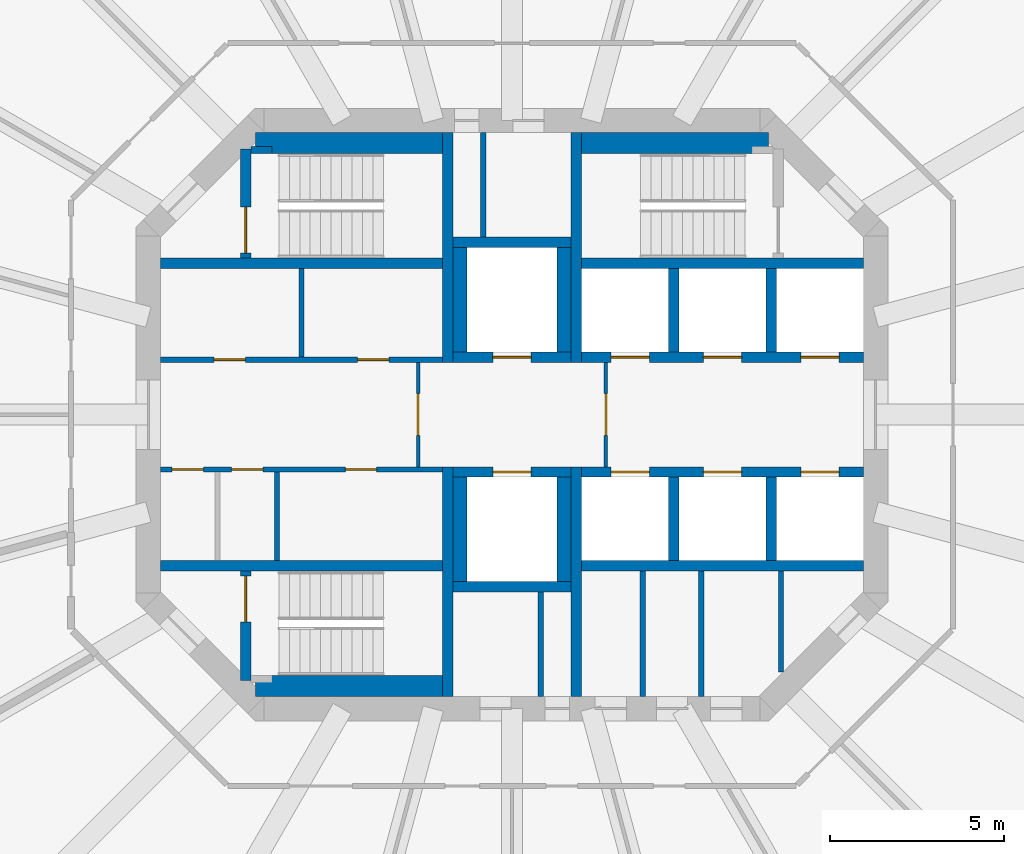
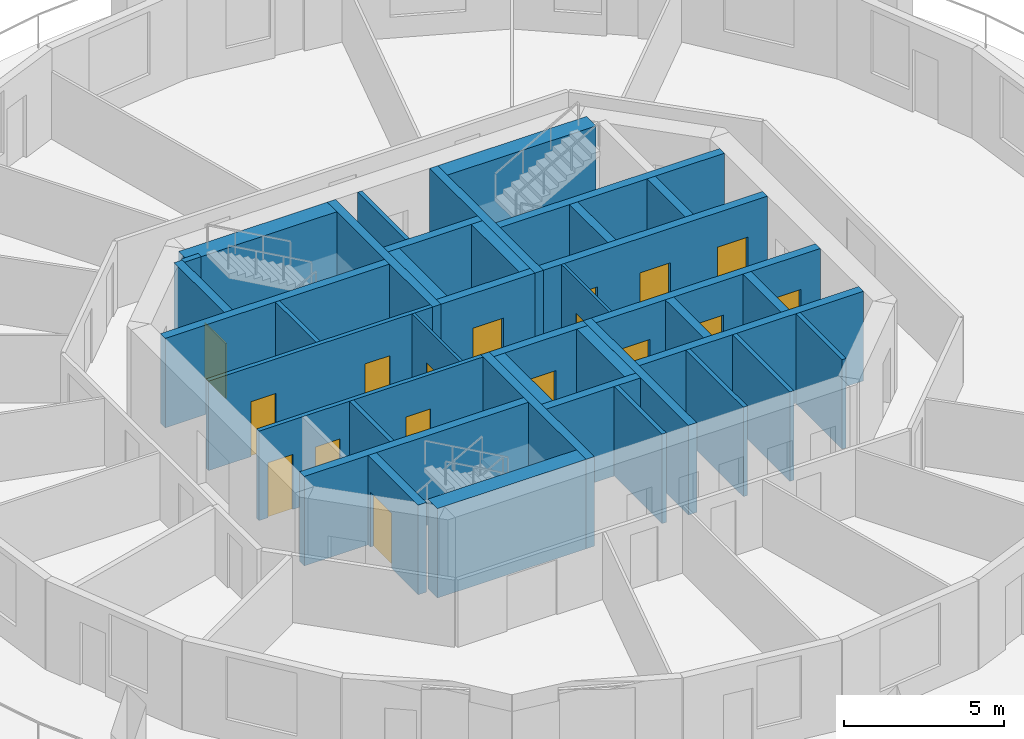
# One storey, part 4 of 9: 39 walls, 17 doors, 17 openings.
"""IFC4 building model written with IfcOpenShell, lengths in metres."""

from ifc_helpers import new_model, si_unit, direction, frame, frame_2d, origin, place, context, subcontext, project, spatial, rectangle, extrude, material, layer, layer_set, type_object, element, fill, save


model = new_model("IFC4")

# Units and contexts
model_context = context("Model", 3, precision=1e-05, world=origin(), true_north=direction((0.0, 1.0)))
body_context = subcontext(model_context, "Body", "Model", "MODEL_VIEW")
ifc_project = project(units=[si_unit("LENGTHUNIT", "METRE"), si_unit("AREAUNIT", "SQUARE_METRE"), si_unit("VOLUMEUNIT", "CUBIC_METRE"), si_unit("PLANEANGLEUNIT", "RADIAN"), si_unit("MASSUNIT", "GRAM", prefix="KILO")], contexts=[model_context])

# Site, building, storey
site_placement = place(None, origin())
site = spatial("IfcSite", under=ifc_project, at=site_placement, CompositionType="ELEMENT")
building_placement = place(site_placement, origin())
building = spatial("IfcBuilding", under=site, at=building_placement, Name="Torre Triforio", CompositionType="ELEMENT")
storey_placement = place(building_placement, frame((0.0, 0.0, 244.60009765625)))
storey = spatial("IfcBuildingStorey", under=building, at=storey_placement, Name="L56", CompositionType="ELEMENT", Elevation=244.60009765625)

# Walls
ifc_material_1 = material(Name="Concrete C50", Category="concrete")
ifc_layer_1 = layer(ifc_material_1, 0.300048828125)
ifc_layer_set_1 = layer_set([ifc_layer_1], Name="Concrete C50")
wall_type_1 = type_object("IfcWallType", Name="Core wall 300 mm C50 EI 120", PredefinedType="SHEAR", material=ifc_layer_set_1)
for number, where, z_axis, x_axis, name in (
    (1, (-1.85009765625, 1.5, 0.0), (0.0, 0.0, 1.0), (0.0, 1.0, 0.0), "Core wall"),
    (2, (-1.85009765625, -8.10009765625, 0.0), (0.0, 0.0, 1.0), (0.0, 1.0, 0.0), "Core wall"),
    (3, (1.85009765625, 1.5, 0.0), (0.0, 0.0, 1.0), (0.0, 1.0, 0.0), "Core wall"),
    (4, (1.85009765625, -8.10009765625, 0.0), (0.0, 0.0, 1.0), (0.0, 1.0, 0.0), "Core wall"),
):
    element("IfcWall", number, at=place(storey_placement, frame(where, z_axis=z_axis, x_axis=x_axis)), inside=storey, type_object=wall_type_1, Name=name, PredefinedType="SHEAR", context=body_context, shape_type="SweptSolid", body=[
        extrude(rectangle(XDim=6.60009765625, YDim=0.300048828125, at=frame_2d((3.300048828125, 0.0))), origin(), (0.0, 0.0, 1.0), 3.419921875),
    ])

# Wall, opening, door
ifc_material_2 = material(Name="Block and board partition")
ifc_layer_2 = layer(ifc_material_2, 0.10009765625)
ifc_layer_set_2 = layer_set([ifc_layer_2], Name="Block and board partition")
wall_type_2 = type_object("IfcWallType", Name="Partition 100 mm EI 120", PredefinedType="PARTITIONING", material=ifc_layer_set_2)
wall_1_placement = place(storey_placement, frame((-2.699951171875, -1.5, 0.0), z_axis=(0.0, 0.0, 1.0), x_axis=(0.0, 1.0, 0.0)))
wall_1 = element("IfcWall", 5, at=wall_1_placement, inside=storey, type_object=wall_type_2, Name="Partition", PredefinedType="PARTITIONING", context=body_context, shape_type="SweptSolid", body=[
    extrude(rectangle(XDim=3.0, YDim=0.10009765625, at=frame_2d((1.5, 0.0))), origin(), (0.0, 0.0, 1.0), 3.419921875),
])
opening_1_placement = place(wall_1_placement, frame((0.89990234375, 0.0, 0.0)))
opening_1 = element("IfcOpeningElement", 6, at=opening_1_placement, cuts=wall_1, Name="Opening FF-W", PredefinedType="OPENING", context=body_context, shape_type="SweptSolid", body=[
    extrude(rectangle(XDim=1.199951171875, YDim=2.10009765625, at=frame_2d((0.60009765625, 1.050048828125))), frame((0.0, 0.06005859375, 0.0), z_axis=(0.0, -1.0, 0.0), x_axis=(1.0, 0.0, 0.0)), (0.0, 0.0, 1.0), 0.1201171875),
])
ifc_material_3 = material(Name="Hollow metal fire door leaf")
door_type_1 = type_object("IfcDoorType", Name="Fire-fighting lobby door 1200 x 2100 EI 60", OperationType="NOTDEFINED", PredefinedType="DOOR", material=ifc_material_3)
door_1_placement = place(opening_1_placement, origin())
door_1 = element("IfcDoor", 7, at=door_1_placement, inside=storey, type_object=door_type_1, Name="Core door FF-W", OperationType="SINGLE_SWING_LEFT", OverallHeight=2.10009765625, OverallWidth=1.199951171875, PredefinedType="DOOR", context=body_context, shape_type="SweptSolid", body=[
    extrude(rectangle(XDim=1.199951171875, YDim=2.10009765625, at=frame_2d((0.60009765625, 1.050048828125))), frame((0.0, 0.02490234375, 0.0), z_axis=(0.0, -1.0, 0.0), x_axis=(1.0, 0.0, 0.0)), (0.0, 0.0, 1.0), 0.050048828125),
])
fill(opening_1, door_1)

wall_2_placement = place(storey_placement, frame((2.699951171875, -1.5, 0.0), z_axis=(0.0, 0.0, 1.0), x_axis=(0.0, 1.0, 0.0)))
wall_2 = element("IfcWall", 8, at=wall_2_placement, inside=storey, type_object=wall_type_2, Name="Partition", PredefinedType="PARTITIONING", context=body_context, shape_type="SweptSolid", body=[
    extrude(rectangle(XDim=3.0, YDim=0.10009765625, at=frame_2d((1.5, 0.0))), origin(), (0.0, 0.0, 1.0), 3.419921875),
])
opening_2_placement = place(wall_2_placement, frame((0.89990234375, 0.0, 0.0)))
opening_2 = element("IfcOpeningElement", 9, at=opening_2_placement, cuts=wall_2, Name="Opening FF-E", PredefinedType="OPENING", context=body_context, shape_type="SweptSolid", body=[
    extrude(rectangle(XDim=1.199951171875, YDim=2.10009765625, at=frame_2d((0.60009765625, 1.050048828125))), frame((0.0, 0.06005859375, 0.0), z_axis=(0.0, -1.0, 0.0), x_axis=(1.0, 0.0, 0.0)), (0.0, 0.0, 1.0), 0.1201171875),
])
door_2_placement = place(opening_2_placement, origin())
door_2 = element("IfcDoor", 10, at=door_2_placement, inside=storey, type_object=door_type_1, Name="Core door FF-E", OperationType="SINGLE_SWING_LEFT", OverallHeight=2.10009765625, OverallWidth=1.199951171875, PredefinedType="DOOR", context=body_context, shape_type="SweptSolid", body=[
    extrude(rectangle(XDim=1.199951171875, YDim=2.10009765625, at=frame_2d((0.60009765625, 1.050048828125))), frame((0.0, 0.02490234375, 0.0), z_axis=(0.0, -1.0, 0.0), x_axis=(1.0, 0.0, 0.0)), (0.0, 0.0, 1.0), 0.050048828125),
])
fill(opening_2, door_2)

# Walls
ifc_layer_3 = layer(ifc_material_2, 0.14990234375)
ifc_layer_set_3 = layer_set([ifc_layer_3], Name="Block and board partition")
wall_type_3 = type_object("IfcWallType", Name="Partition 150 mm", PredefinedType="PARTITIONING", material=ifc_layer_set_3)
for number, where, z_axis, x_axis, name in (
    (11, (3.758056640625, -8.10009765625, 0.0), (0.0, 0.0, 1.0), (0.0, 1.0, 0.0), "Partition"),
    (12, (5.43798828125, -8.10009765625, 0.0), (0.0, 0.0, 1.0), (0.0, 1.0, 0.0), "Partition"),
):
    element("IfcWall", number, at=place(storey_placement, frame(where, z_axis=z_axis, x_axis=x_axis)), inside=storey, type_object=wall_type_3, Name=name, PredefinedType="PARTITIONING", context=body_context, shape_type="SweptSolid", body=[
        extrude(rectangle(XDim=3.60009765625, YDim=0.14990234375, at=frame_2d((1.800048828125, 0.0))), origin(), (0.0, 0.0, 1.0), 3.419921875),
    ])
wall_3_placement = place(storey_placement, frame((7.72998046875, -7.39501953125, 0.0), z_axis=(0.0, 0.0, 1.0), x_axis=(0.0, 1.0, 0.0)))
element("IfcWall", 13, at=wall_3_placement, inside=storey, type_object=wall_type_3, Name="Partition", PredefinedType="PARTITIONING", context=body_context, shape_type="SweptSolid", body=[
    extrude(rectangle(XDim=2.89501953125, YDim=0.14990234375, at=frame_2d((1.447509765625, 0.0))), origin(), (0.0, 0.0, 1.0), 3.419921875),
])
for number, where, z_axis, x_axis, name in (
    (14, (-6.050048828125, 1.64990234375, 0.0), (0.0, 0.0, 1.0), (0.0, 1.0, 0.0), "Partition"),
    (15, (-6.7548828125, -4.199951171875, 0.0), (0.0, 0.0, 1.0), (0.0, 1.0, 0.0), "Partition"),
):
    element("IfcWall", number, at=place(storey_placement, frame(where, z_axis=z_axis, x_axis=x_axis)), inside=storey, type_object=wall_type_3, Name=name, PredefinedType="PARTITIONING", context=body_context, shape_type="SweptSolid", body=[
        extrude(rectangle(XDim=2.550048828125, YDim=0.14990234375, at=frame_2d((1.27490234375, 0.0))), origin(), (0.0, 0.0, 1.0), 3.419921875),
    ])
ifc_layer_4 = layer(ifc_material_2, 0.14990234375)
ifc_layer_set_4 = layer_set([ifc_layer_4], Name="Block and board partition")
wall_type_4 = type_object("IfcWallType", Name="Partition 150 mm EI 120", PredefinedType="PARTITIONING", material=ifc_layer_set_4)
for number, where, z_axis, x_axis, name in (
    (16, (-0.824951171875, 5.10009765625, 0.0), (0.0, 0.0, 1.0), (0.0, 1.0, 0.0), "Partition"),
    (17, (0.824951171875, -8.10009765625, 0.0), (0.0, 0.0, 1.0), (0.0, 1.0, 0.0), "Partition"),
):
    element("IfcWall", number, at=place(storey_placement, frame(where, z_axis=z_axis, x_axis=x_axis)), inside=storey, type_object=wall_type_4, Name=name, PredefinedType="PARTITIONING", context=body_context, shape_type="SweptSolid", body=[
        extrude(rectangle(XDim=3.0, YDim=0.14990234375, at=frame_2d((1.5, 0.0))), origin(), (0.0, 0.0, 1.0), 3.419921875),
    ])

# Wall, openings, doors
wall_4_placement = place(storey_placement, frame((-10.10009765625, 1.574951171875, 0.0), z_axis=(0.0, 0.0, 1.0), x_axis=(1.0, 0.0, 0.0)))
wall_4 = element("IfcWall", 18, at=wall_4_placement, inside=storey, type_object=wall_type_4, Name="Partition", PredefinedType="PARTITIONING", context=body_context, shape_type="SweptSolid", body=[
    extrude(rectangle(XDim=8.10009765625, YDim=0.14990234375, at=frame_2d((4.050048828125, 0.0))), origin(), (0.0, 0.0, 1.0), 3.419921875),
])
opening_3_placement = place(wall_4_placement, frame((1.53759765625, 0.0, 0.0)))
opening_3 = element("IfcOpeningElement", 19, at=opening_3_placement, cuts=wall_4, Name="Opening FN-01", PredefinedType="OPENING", context=body_context, shape_type="SweptSolid", body=[
    extrude(rectangle(XDim=0.89990234375, YDim=2.10009765625, at=frame_2d((0.449951171875, 1.050048828125))), frame((0.0, 0.0849609375, 0.0), z_axis=(0.0, -1.0, 0.0), x_axis=(1.0, 0.0, 0.0)), (0.0, 0.0, 1.0), 0.169921875),
])
opening_4_placement = place(wall_4_placement, frame((5.66259765625, 0.0, 0.0)))
opening_4 = element("IfcOpeningElement", 20, at=opening_4_placement, cuts=wall_4, Name="Opening FN-02", PredefinedType="OPENING", context=body_context, shape_type="SweptSolid", body=[
    extrude(rectangle(XDim=0.89990234375, YDim=2.10009765625, at=frame_2d((0.449951171875, 1.050048828125))), frame((0.0, 0.0849609375, 0.0), z_axis=(0.0, -1.0, 0.0), x_axis=(1.0, 0.0, 0.0)), (0.0, 0.0, 1.0), 0.169921875),
])
door_type_2 = type_object("IfcDoorType", Name="Room door 900 x 2100 EI 60", OperationType="NOTDEFINED", PredefinedType="DOOR", material=ifc_material_3)
door_3_placement = place(opening_3_placement, origin())
door_3 = element("IfcDoor", 21, at=door_3_placement, inside=storey, type_object=door_type_2, Name="Core door FN-01", OperationType="SINGLE_SWING_RIGHT", OverallHeight=2.10009765625, OverallWidth=0.89990234375, PredefinedType="DOOR", context=body_context, shape_type="SweptSolid", body=[
    extrude(rectangle(XDim=0.89990234375, YDim=2.10009765625, at=frame_2d((0.449951171875, 1.050048828125))), frame((0.0, 0.02490234375, 0.0), z_axis=(0.0, -1.0, 0.0), x_axis=(1.0, 0.0, 0.0)), (0.0, 0.0, 1.0), 0.050048828125),
])
fill(opening_3, door_3)
door_4_placement = place(opening_4_placement, origin())
door_4 = element("IfcDoor", 22, at=door_4_placement, inside=storey, type_object=door_type_2, Name="Core door FN-02", OperationType="SINGLE_SWING_RIGHT", OverallHeight=2.10009765625, OverallWidth=0.89990234375, PredefinedType="DOOR", context=body_context, shape_type="SweptSolid", body=[
    extrude(rectangle(XDim=0.89990234375, YDim=2.10009765625, at=frame_2d((0.449951171875, 1.050048828125))), frame((0.0, 0.02490234375, 0.0), z_axis=(0.0, -1.0, 0.0), x_axis=(1.0, 0.0, 0.0)), (0.0, 0.0, 1.0), 0.050048828125),
])
fill(opening_4, door_4)

wall_5_placement = place(storey_placement, frame((-10.10009765625, -1.574951171875, 0.0), z_axis=(0.0, 0.0, 1.0), x_axis=(1.0, 0.0, 0.0)))
wall_5 = element("IfcWall", 23, at=wall_5_placement, inside=storey, type_object=wall_type_4, Name="Partition", PredefinedType="PARTITIONING", context=body_context, shape_type="SweptSolid", body=[
    extrude(rectangle(XDim=8.10009765625, YDim=0.14990234375, at=frame_2d((4.050048828125, 0.0))), origin(), (0.0, 0.0, 1.0), 3.419921875),
])
opening_5_placement = place(wall_5_placement, frame((0.330078125, 0.0, 0.0)))
opening_5 = element("IfcOpeningElement", 24, at=opening_5_placement, cuts=wall_5, Name="Opening FS-01", PredefinedType="OPENING", context=body_context, shape_type="SweptSolid", body=[
    extrude(rectangle(XDim=0.89990234375, YDim=2.10009765625, at=frame_2d((0.449951171875, 1.050048828125))), frame((0.0, 0.0849609375, 0.0), z_axis=(0.0, -1.0, 0.0), x_axis=(1.0, 0.0, 0.0)), (0.0, 0.0, 1.0), 0.169921875),
])
opening_6_placement = place(wall_5_placement, frame((2.0400390625, 0.0, 0.0)))
opening_6 = element("IfcOpeningElement", 25, at=opening_6_placement, cuts=wall_5, Name="Opening FS-02", PredefinedType="OPENING", context=body_context, shape_type="SweptSolid", body=[
    extrude(rectangle(XDim=0.89990234375, YDim=2.10009765625, at=frame_2d((0.449951171875, 1.050048828125))), frame((0.0, 0.0849609375, 0.0), z_axis=(0.0, -1.0, 0.0), x_axis=(1.0, 0.0, 0.0)), (0.0, 0.0, 1.0), 0.169921875),
])
opening_7_placement = place(wall_5_placement, frame((5.31005859375, 0.0, 0.0)))
opening_7 = element("IfcOpeningElement", 26, at=opening_7_placement, cuts=wall_5, Name="Opening FS-03", PredefinedType="OPENING", context=body_context, shape_type="SweptSolid", body=[
    extrude(rectangle(XDim=0.89990234375, YDim=2.10009765625, at=frame_2d((0.449951171875, 1.050048828125))), frame((0.0, 0.0849609375, 0.0), z_axis=(0.0, -1.0, 0.0), x_axis=(1.0, 0.0, 0.0)), (0.0, 0.0, 1.0), 0.169921875),
])
door_5_placement = place(opening_5_placement, origin())
door_5 = element("IfcDoor", 27, at=door_5_placement, inside=storey, type_object=door_type_2, Name="Core door FS-01", OperationType="SINGLE_SWING_LEFT", OverallHeight=2.10009765625, OverallWidth=0.89990234375, PredefinedType="DOOR", context=body_context, shape_type="SweptSolid", body=[
    extrude(rectangle(XDim=0.89990234375, YDim=2.10009765625, at=frame_2d((0.449951171875, 1.050048828125))), frame((0.0, 0.02490234375, 0.0), z_axis=(0.0, -1.0, 0.0), x_axis=(1.0, 0.0, 0.0)), (0.0, 0.0, 1.0), 0.050048828125),
])
fill(opening_5, door_5)
door_6_placement = place(opening_6_placement, origin())
door_6 = element("IfcDoor", 28, at=door_6_placement, inside=storey, type_object=door_type_2, Name="Core door FS-02", OperationType="SINGLE_SWING_LEFT", OverallHeight=2.10009765625, OverallWidth=0.89990234375, PredefinedType="DOOR", context=body_context, shape_type="SweptSolid", body=[
    extrude(rectangle(XDim=0.89990234375, YDim=2.10009765625, at=frame_2d((0.449951171875, 1.050048828125))), frame((0.0, 0.02490234375, 0.0), z_axis=(0.0, -1.0, 0.0), x_axis=(1.0, 0.0, 0.0)), (0.0, 0.0, 1.0), 0.050048828125),
])
fill(opening_6, door_6)
door_7_placement = place(opening_7_placement, origin())
door_7 = element("IfcDoor", 29, at=door_7_placement, inside=storey, type_object=door_type_2, Name="Core door FS-03", OperationType="SINGLE_SWING_LEFT", OverallHeight=2.10009765625, OverallWidth=0.89990234375, PredefinedType="DOOR", context=body_context, shape_type="SweptSolid", body=[
    extrude(rectangle(XDim=0.89990234375, YDim=2.10009765625, at=frame_2d((0.449951171875, 1.050048828125))), frame((0.0, 0.02490234375, 0.0), z_axis=(0.0, -1.0, 0.0), x_axis=(1.0, 0.0, 0.0)), (0.0, 0.0, 1.0), 0.050048828125),
])
fill(opening_7, door_7)

# Walls
ifc_layer_5 = layer(ifc_material_1, 0.300048828125)
ifc_layer_set_5 = layer_set([ifc_layer_5], Name="Concrete C50")
wall_type_5 = type_object("IfcWallType", Name="Shaft wall 300 mm C50 EI 120", PredefinedType="SOLIDWALL", material=ifc_layer_set_5)
for number, where, z_axis, x_axis, name in (
    (30, (-10.10009765625, 4.35009765625, 0.0), (0.0, 0.0, 1.0), (1.0, 0.0, 0.0), "Shaft wall"),
    (31, (-10.10009765625, -4.35009765625, 0.0), (0.0, 0.0, 1.0), (1.0, 0.0, 0.0), "Shaft wall"),
    (32, (2.0, 4.35009765625, 0.0), (0.0, 0.0, 1.0), (1.0, 0.0, 0.0), "Shaft wall"),
    (33, (2.0, -4.35009765625, 0.0), (0.0, 0.0, 1.0), (1.0, 0.0, 0.0), "Shaft wall"),
):
    element("IfcWall", number, at=place(storey_placement, frame(where, z_axis=z_axis, x_axis=x_axis)), inside=storey, type_object=wall_type_5, Name=name, PredefinedType="SOLIDWALL", context=body_context, shape_type="SweptSolid", body=[
        extrude(rectangle(XDim=8.10009765625, YDim=0.300048828125, at=frame_2d((4.050048828125, 0.0))), origin(), (0.0, 0.0, 1.0), 3.419921875),
    ])

# Wall, openings, doors
wall_6_placement = place(storey_placement, frame((2.0, 1.64990234375, 0.0), z_axis=(0.0, 0.0, 1.0), x_axis=(1.0, 0.0, 0.0)))
wall_6 = element("IfcWall", 34, at=wall_6_placement, inside=storey, type_object=wall_type_5, Name="Shaft wall", PredefinedType="SOLIDWALL", context=body_context, shape_type="SweptSolid", body=[
    extrude(rectangle(XDim=8.10009765625, YDim=0.300048828125, at=frame_2d((4.050048828125, 0.0))), origin(), (0.0, 0.0, 1.0), 3.419921875),
])
opening_8_placement = place(wall_6_placement, frame((0.85009765625, 0.0, 0.0)))
opening_8 = element("IfcOpeningElement", 35, at=opening_8_placement, cuts=wall_6, Name="Opening LD", PredefinedType="OPENING", context=body_context, shape_type="SweptSolid", body=[
    extrude(rectangle(XDim=1.10009765625, YDim=2.10009765625, at=frame_2d((0.550048828125, 1.050048828125))), frame((0.0, 0.159912109375, 0.0), z_axis=(0.0, -1.0, 0.0), x_axis=(1.0, 0.0, 0.0)), (0.0, 0.0, 1.0), 0.320068359375),
])
opening_9_placement = place(wall_6_placement, frame((3.5, 0.0, 0.0)))
opening_9 = element("IfcOpeningElement", 36, at=opening_9_placement, cuts=wall_6, Name="Opening LD", PredefinedType="OPENING", context=body_context, shape_type="SweptSolid", body=[
    extrude(rectangle(XDim=1.10009765625, YDim=2.10009765625, at=frame_2d((0.550048828125, 1.050048828125))), frame((0.0, 0.159912109375, 0.0), z_axis=(0.0, -1.0, 0.0), x_axis=(1.0, 0.0, 0.0)), (0.0, 0.0, 1.0), 0.320068359375),
])
opening_10_placement = place(wall_6_placement, frame((6.300048828125, 0.0, 0.0)))
opening_10 = element("IfcOpeningElement", 37, at=opening_10_placement, cuts=wall_6, Name="Opening LD", PredefinedType="OPENING", context=body_context, shape_type="SweptSolid", body=[
    extrude(rectangle(XDim=1.10009765625, YDim=2.10009765625, at=frame_2d((0.550048828125, 1.050048828125))), frame((0.0, 0.159912109375, 0.0), z_axis=(0.0, -1.0, 0.0), x_axis=(1.0, 0.0, 0.0)), (0.0, 0.0, 1.0), 0.320068359375),
])
door_type_3 = type_object("IfcDoorType", Name="Landing door 1100 x 2100 EI 60", OperationType="DOUBLE_DOOR_SLIDING", PredefinedType="DOOR", material=ifc_material_3)
door_8_placement = place(opening_8_placement, origin())
door_8 = element("IfcDoor", 38, at=door_8_placement, inside=storey, type_object=door_type_3, Name="Landing door HR1", OperationType="DOUBLE_DOOR_SLIDING", OverallHeight=2.10009765625, OverallWidth=1.10009765625, PredefinedType="DOOR", context=body_context, shape_type="SweptSolid", body=[
    extrude(rectangle(XDim=1.10009765625, YDim=2.10009765625, at=frame_2d((0.550048828125, 1.050048828125))), frame((0.0, 0.02490234375, 0.0), z_axis=(0.0, -1.0, 0.0), x_axis=(1.0, 0.0, 0.0)), (0.0, 0.0, 1.0), 0.050048828125),
])
fill(opening_8, door_8)
door_9_placement = place(opening_9_placement, origin())
door_9 = element("IfcDoor", 39, at=door_9_placement, inside=storey, type_object=door_type_3, Name="Landing door HR2", OperationType="DOUBLE_DOOR_SLIDING", OverallHeight=2.10009765625, OverallWidth=1.10009765625, PredefinedType="DOOR", context=body_context, shape_type="SweptSolid", body=[
    extrude(rectangle(XDim=1.10009765625, YDim=2.10009765625, at=frame_2d((0.550048828125, 1.050048828125))), frame((0.0, 0.02490234375, 0.0), z_axis=(0.0, -1.0, 0.0), x_axis=(1.0, 0.0, 0.0)), (0.0, 0.0, 1.0), 0.050048828125),
])
fill(opening_9, door_9)
door_10_placement = place(opening_10_placement, origin())
door_10 = element("IfcDoor", 40, at=door_10_placement, inside=storey, type_object=door_type_3, Name="Landing door HR3", OperationType="DOUBLE_DOOR_SLIDING", OverallHeight=2.10009765625, OverallWidth=1.10009765625, PredefinedType="DOOR", context=body_context, shape_type="SweptSolid", body=[
    extrude(rectangle(XDim=1.10009765625, YDim=2.10009765625, at=frame_2d((0.550048828125, 1.050048828125))), frame((0.0, 0.02490234375, 0.0), z_axis=(0.0, -1.0, 0.0), x_axis=(1.0, 0.0, 0.0)), (0.0, 0.0, 1.0), 0.050048828125),
])
fill(opening_10, door_10)

wall_7_placement = place(storey_placement, frame((2.0, -1.64990234375, 0.0), z_axis=(0.0, 0.0, 1.0), x_axis=(1.0, 0.0, 0.0)))
wall_7 = element("IfcWall", 41, at=wall_7_placement, inside=storey, type_object=wall_type_5, Name="Shaft wall", PredefinedType="SOLIDWALL", context=body_context, shape_type="SweptSolid", body=[
    extrude(rectangle(XDim=8.10009765625, YDim=0.300048828125, at=frame_2d((4.050048828125, 0.0))), origin(), (0.0, 0.0, 1.0), 3.419921875),
])
opening_11_placement = place(wall_7_placement, frame((0.85009765625, 0.0, 0.0)))
opening_11 = element("IfcOpeningElement", 42, at=opening_11_placement, cuts=wall_7, Name="Opening LD", PredefinedType="OPENING", context=body_context, shape_type="SweptSolid", body=[
    extrude(rectangle(XDim=1.10009765625, YDim=2.10009765625, at=frame_2d((0.550048828125, 1.050048828125))), frame((0.0, 0.159912109375, 0.0), z_axis=(0.0, -1.0, 0.0), x_axis=(1.0, 0.0, 0.0)), (0.0, 0.0, 1.0), 0.320068359375),
])
opening_12_placement = place(wall_7_placement, frame((3.5, 0.0, 0.0)))
opening_12 = element("IfcOpeningElement", 43, at=opening_12_placement, cuts=wall_7, Name="Opening LD", PredefinedType="OPENING", context=body_context, shape_type="SweptSolid", body=[
    extrude(rectangle(XDim=1.10009765625, YDim=2.10009765625, at=frame_2d((0.550048828125, 1.050048828125))), frame((0.0, 0.159912109375, 0.0), z_axis=(0.0, -1.0, 0.0), x_axis=(1.0, 0.0, 0.0)), (0.0, 0.0, 1.0), 0.320068359375),
])
opening_13_placement = place(wall_7_placement, frame((6.300048828125, 0.0, 0.0)))
opening_13 = element("IfcOpeningElement", 44, at=opening_13_placement, cuts=wall_7, Name="Opening LD", PredefinedType="OPENING", context=body_context, shape_type="SweptSolid", body=[
    extrude(rectangle(XDim=1.10009765625, YDim=2.10009765625, at=frame_2d((0.550048828125, 1.050048828125))), frame((0.0, 0.159912109375, 0.0), z_axis=(0.0, -1.0, 0.0), x_axis=(1.0, 0.0, 0.0)), (0.0, 0.0, 1.0), 0.320068359375),
])
door_11_placement = place(opening_11_placement, origin())
door_11 = element("IfcDoor", 45, at=door_11_placement, inside=storey, type_object=door_type_3, Name="Landing door HR4", OperationType="DOUBLE_DOOR_SLIDING", OverallHeight=2.10009765625, OverallWidth=1.10009765625, PredefinedType="DOOR", context=body_context, shape_type="SweptSolid", body=[
    extrude(rectangle(XDim=1.10009765625, YDim=2.10009765625, at=frame_2d((0.550048828125, 1.050048828125))), frame((0.0, 0.02490234375, 0.0), z_axis=(0.0, -1.0, 0.0), x_axis=(1.0, 0.0, 0.0)), (0.0, 0.0, 1.0), 0.050048828125),
])
fill(opening_11, door_11)
door_12_placement = place(opening_12_placement, origin())
door_12 = element("IfcDoor", 46, at=door_12_placement, inside=storey, type_object=door_type_3, Name="Landing door HR5", OperationType="DOUBLE_DOOR_SLIDING", OverallHeight=2.10009765625, OverallWidth=1.10009765625, PredefinedType="DOOR", context=body_context, shape_type="SweptSolid", body=[
    extrude(rectangle(XDim=1.10009765625, YDim=2.10009765625, at=frame_2d((0.550048828125, 1.050048828125))), frame((0.0, 0.02490234375, 0.0), z_axis=(0.0, -1.0, 0.0), x_axis=(1.0, 0.0, 0.0)), (0.0, 0.0, 1.0), 0.050048828125),
])
fill(opening_12, door_12)
door_13_placement = place(opening_13_placement, origin())
door_13 = element("IfcDoor", 47, at=door_13_placement, inside=storey, type_object=door_type_3, Name="Landing door HR6", OperationType="DOUBLE_DOOR_SLIDING", OverallHeight=2.10009765625, OverallWidth=1.10009765625, PredefinedType="DOOR", context=body_context, shape_type="SweptSolid", body=[
    extrude(rectangle(XDim=1.10009765625, YDim=2.10009765625, at=frame_2d((0.550048828125, 1.050048828125))), frame((0.0, 0.02490234375, 0.0), z_axis=(0.0, -1.0, 0.0), x_axis=(1.0, 0.0, 0.0)), (0.0, 0.0, 1.0), 0.050048828125),
])
fill(opening_13, door_13)

# Walls
for number, where, z_axis, x_axis, name in (
    (48, (4.64990234375, 1.800048828125, 0.0), (0.0, 0.0, 1.0), (0.0, 1.0, 0.0), "Shaft wall"),
    (49, (4.64990234375, -4.199951171875, 0.0), (0.0, 0.0, 1.0), (0.0, 1.0, 0.0), "Shaft wall"),
    (50, (7.449951171875, 1.800048828125, 0.0), (0.0, 0.0, 1.0), (0.0, 1.0, 0.0), "Shaft wall"),
    (51, (7.449951171875, -4.199951171875, 0.0), (0.0, 0.0, 1.0), (0.0, 1.0, 0.0), "Shaft wall"),
):
    element("IfcWall", number, at=place(storey_placement, frame(where, z_axis=z_axis, x_axis=x_axis)), inside=storey, type_object=wall_type_5, Name=name, PredefinedType="SOLIDWALL", context=body_context, shape_type="SweptSolid", body=[
        extrude(rectangle(XDim=2.39990234375, YDim=0.300048828125, at=frame_2d((1.199951171875, 0.0))), origin(), (0.0, 0.0, 1.0), 3.419921875),
    ])

# Wall, opening, door
wall_8_placement = place(storey_placement, frame((-1.699951171875, 1.64990234375, 0.0), z_axis=(0.0, 0.0, 1.0), x_axis=(1.0, 0.0, 0.0)))
wall_8 = element("IfcWall", 52, at=wall_8_placement, inside=storey, type_object=wall_type_5, Name="Shaft wall", PredefinedType="SOLIDWALL", context=body_context, shape_type="SweptSolid", body=[
    extrude(rectangle(XDim=3.39990234375, YDim=0.300048828125, at=frame_2d((1.699951171875, 0.0))), origin(), (0.0, 0.0, 1.0), 3.419921875),
])
opening_14_placement = place(wall_8_placement, frame((1.14990234375, 0.0, 0.0)))
opening_14 = element("IfcOpeningElement", 53, at=opening_14_placement, cuts=wall_8, Name="Opening LD", PredefinedType="OPENING", context=body_context, shape_type="SweptSolid", body=[
    extrude(rectangle(XDim=1.10009765625, YDim=2.10009765625, at=frame_2d((0.550048828125, 1.050048828125))), frame((0.0, 0.159912109375, 0.0), z_axis=(0.0, -1.0, 0.0), x_axis=(1.0, 0.0, 0.0)), (0.0, 0.0, 1.0), 0.320068359375),
])
door_14_placement = place(opening_14_placement, origin())
door_14 = element("IfcDoor", 54, at=door_14_placement, inside=storey, type_object=door_type_3, Name="Landing door FFL1", OperationType="DOUBLE_DOOR_SLIDING", OverallHeight=2.10009765625, OverallWidth=1.10009765625, PredefinedType="DOOR", context=body_context, shape_type="SweptSolid", body=[
    extrude(rectangle(XDim=1.10009765625, YDim=2.10009765625, at=frame_2d((0.550048828125, 1.050048828125))), frame((0.0, 0.02490234375, 0.0), z_axis=(0.0, -1.0, 0.0), x_axis=(1.0, 0.0, 0.0)), (0.0, 0.0, 1.0), 0.050048828125),
])
fill(opening_14, door_14)

wall_9_placement = place(storey_placement, frame((-1.699951171875, -1.64990234375, 0.0), z_axis=(0.0, 0.0, 1.0), x_axis=(1.0, 0.0, 0.0)))
wall_9 = element("IfcWall", 55, at=wall_9_placement, inside=storey, type_object=wall_type_5, Name="Shaft wall", PredefinedType="SOLIDWALL", context=body_context, shape_type="SweptSolid", body=[
    extrude(rectangle(XDim=3.39990234375, YDim=0.300048828125, at=frame_2d((1.699951171875, 0.0))), origin(), (0.0, 0.0, 1.0), 3.419921875),
])
opening_15_placement = place(wall_9_placement, frame((1.14990234375, 0.0, 0.0)))
opening_15 = element("IfcOpeningElement", 56, at=opening_15_placement, cuts=wall_9, Name="Opening LD", PredefinedType="OPENING", context=body_context, shape_type="SweptSolid", body=[
    extrude(rectangle(XDim=1.10009765625, YDim=2.10009765625, at=frame_2d((0.550048828125, 1.050048828125))), frame((0.0, 0.159912109375, 0.0), z_axis=(0.0, -1.0, 0.0), x_axis=(1.0, 0.0, 0.0)), (0.0, 0.0, 1.0), 0.320068359375),
])
door_15_placement = place(opening_15_placement, origin())
door_15 = element("IfcDoor", 57, at=door_15_placement, inside=storey, type_object=door_type_3, Name="Landing door FFL2", OperationType="DOUBLE_DOOR_SLIDING", OverallHeight=2.10009765625, OverallWidth=1.10009765625, PredefinedType="DOOR", context=body_context, shape_type="SweptSolid", body=[
    extrude(rectangle(XDim=1.10009765625, YDim=2.10009765625, at=frame_2d((0.550048828125, 1.050048828125))), frame((0.0, 0.02490234375, 0.0), z_axis=(0.0, -1.0, 0.0), x_axis=(1.0, 0.0, 0.0)), (0.0, 0.0, 1.0), 0.050048828125),
])
fill(opening_15, door_15)

# Walls
for number, where, z_axis, x_axis, name in (
    (58, (-1.699951171875, 4.949951171875, 0.0), (0.0, 0.0, 1.0), (1.0, 0.0, 0.0), "Shaft wall"),
    (59, (-1.699951171875, -4.949951171875, 0.0), (0.0, 0.0, 1.0), (1.0, 0.0, 0.0), "Shaft wall"),
):
    element("IfcWall", number, at=place(storey_placement, frame(where, z_axis=z_axis, x_axis=x_axis)), inside=storey, type_object=wall_type_5, Name=name, PredefinedType="SOLIDWALL", context=body_context, shape_type="SweptSolid", body=[
        extrude(rectangle(XDim=3.39990234375, YDim=0.300048828125, at=frame_2d((1.699951171875, 0.0))), origin(), (0.0, 0.0, 1.0), 3.419921875),
    ])
ifc_layer_6 = layer(ifc_material_1, 0.39990234375)
ifc_layer_set_6 = layer_set([ifc_layer_6], Name="Concrete C50")
wall_type_6 = type_object("IfcWallType", Name="Shaft wall 400 mm C50 EI 120", PredefinedType="SOLIDWALL", material=ifc_layer_set_6)
for number, where, z_axis, x_axis, name in (
    (60, (-1.5, 1.800048828125, 0.0), (0.0, 0.0, 1.0), (0.0, 1.0, 0.0), "Shaft wall"),
    (61, (-1.5, -4.800048828125, 0.0), (0.0, 0.0, 1.0), (0.0, 1.0, 0.0), "Shaft wall"),
    (62, (1.5, 1.800048828125, 0.0), (0.0, 0.0, 1.0), (0.0, 1.0, 0.0), "Shaft wall"),
    (63, (1.5, -4.800048828125, 0.0), (0.0, 0.0, 1.0), (0.0, 1.0, 0.0), "Shaft wall"),
):
    element("IfcWall", number, at=place(storey_placement, frame(where, z_axis=z_axis, x_axis=x_axis)), inside=storey, type_object=wall_type_6, Name=name, PredefinedType="SOLIDWALL", context=body_context, shape_type="SweptSolid", body=[
        extrude(rectangle(XDim=3.0, YDim=0.39990234375, at=frame_2d((1.5, 0.0))), origin(), (0.0, 0.0, 1.0), 3.419921875),
    ])
ifc_layer_7 = layer(ifc_material_1, 0.199951171875)
ifc_layer_set_7 = layer_set([ifc_layer_7], Name="Concrete C50")
wall_type_7 = type_object("IfcWallType", Name="Stair wall 200 mm C50 EI 120", PredefinedType="SHEAR", material=ifc_layer_set_7)
wall_10_placement = place(storey_placement, frame((-7.5, 7.60009765625, 0.0), z_axis=(0.0, 0.0, 1.0), x_axis=(1.0, 0.0, 0.0)))
element("IfcWall", 64, at=wall_10_placement, inside=storey, type_object=wall_type_7, Name="Stair wall", PredefinedType="SHEAR", context=body_context, shape_type="SweptSolid", body=[
    extrude(rectangle(XDim=0.60009765625, YDim=0.199951171875, at=frame_2d((0.300048828125, 0.0))), origin(), (0.0, 0.0, 1.0), 3.419921875),
])

# Wall, opening, door
ifc_layer_8 = layer(ifc_material_1, 0.300048828125)
ifc_layer_set_8 = layer_set([ifc_layer_8], Name="Concrete C50")
wall_type_8 = type_object("IfcWallType", Name="Stair wall 300 mm C50 EI 120", PredefinedType="SHEAR", material=ifc_layer_set_8)
wall_11_placement = place(storey_placement, frame((-7.64990234375, 4.5, 0.0), z_axis=(0.0, 0.0, 1.0), x_axis=(0.0, 1.0, 0.0)))
wall_11 = element("IfcWall", 65, at=wall_11_placement, inside=storey, type_object=wall_type_8, Name="Stair wall", PredefinedType="SHEAR", context=body_context, shape_type="SweptSolid", body=[
    extrude(rectangle(XDim=3.139892578125, YDim=0.300048828125, at=frame_2d((1.56982421875, 0.0))), origin(), (0.0, 0.0, 1.0), 3.419921875),
])
opening_16_placement = place(wall_11_placement, frame((0.139892578125, 0.0, 0.0)))
opening_16 = element("IfcOpeningElement", 66, at=opening_16_placement, cuts=wall_11, Name="Opening ST1-STA", PredefinedType="OPENING", context=body_context, shape_type="SweptSolid", body=[
    extrude(rectangle(XDim=1.320068359375, YDim=2.10009765625, at=frame_2d((0.66015625, 1.050048828125))), frame((0.0, 0.159912109375, 0.0), z_axis=(0.0, -1.0, 0.0), x_axis=(1.0, 0.0, 0.0)), (0.0, 0.0, 1.0), 0.320068359375),
])
door_type_4 = type_object("IfcDoorType", Name="Stair door 1320 x 2100 EI 90", OperationType="DOUBLE_DOOR_SINGLE_SWING", PredefinedType="DOOR", material=ifc_material_3)
door_16_placement = place(opening_16_placement, origin())
door_16 = element("IfcDoor", 67, at=door_16_placement, inside=storey, type_object=door_type_4, Name="Core door ST1-ST", OperationType="DOUBLE_DOOR_SINGLE_SWING", OverallHeight=2.10009765625, OverallWidth=1.320068359375, PredefinedType="DOOR", context=body_context, shape_type="SweptSolid", body=[
    extrude(rectangle(XDim=1.320068359375, YDim=2.10009765625, at=frame_2d((0.66015625, 1.050048828125))), frame((0.0, 0.02490234375, 0.0), z_axis=(0.0, -1.0, 0.0), x_axis=(1.0, 0.0, 0.0)), (0.0, 0.0, 1.0), 0.050048828125),
])
fill(opening_16, door_16)

wall_12_placement = place(storey_placement, frame((-7.64990234375, -7.639892578125, 0.0), z_axis=(0.0, 0.0, 1.0), x_axis=(0.0, 1.0, 0.0)))
wall_12 = element("IfcWall", 68, at=wall_12_placement, inside=storey, type_object=wall_type_8, Name="Stair wall", PredefinedType="SHEAR", context=body_context, shape_type="SweptSolid", body=[
    extrude(rectangle(XDim=3.139892578125, YDim=0.300048828125, at=frame_2d((1.56982421875, 0.0))), origin(), (0.0, 0.0, 1.0), 3.419921875),
])
opening_17_placement = place(wall_12_placement, frame((1.679931640625, 0.0, 0.0)))
opening_17 = element("IfcOpeningElement", 69, at=opening_17_placement, cuts=wall_12, Name="Opening ST3-STA", PredefinedType="OPENING", context=body_context, shape_type="SweptSolid", body=[
    extrude(rectangle(XDim=1.320068359375, YDim=2.10009765625, at=frame_2d((0.66015625, 1.050048828125))), frame((0.0, 0.159912109375, 0.0), z_axis=(0.0, -1.0, 0.0), x_axis=(1.0, 0.0, 0.0)), (0.0, 0.0, 1.0), 0.320068359375),
])
door_17_placement = place(opening_17_placement, origin())
door_17 = element("IfcDoor", 70, at=door_17_placement, inside=storey, type_object=door_type_4, Name="Core door ST3-ST", OperationType="DOUBLE_DOOR_SINGLE_SWING", OverallHeight=2.10009765625, OverallWidth=1.320068359375, PredefinedType="DOOR", context=body_context, shape_type="SweptSolid", body=[
    extrude(rectangle(XDim=1.320068359375, YDim=2.10009765625, at=frame_2d((0.66015625, 1.050048828125))), frame((0.0, 0.02490234375, 0.0), z_axis=(0.0, -1.0, 0.0), x_axis=(1.0, 0.0, 0.0)), (0.0, 0.0, 1.0), 0.050048828125),
])
fill(opening_17, door_17)

# Walls
ifc_layer_9 = layer(ifc_material_1, 0.60009765625)
ifc_layer_set_9 = layer_set([ifc_layer_9], Name="Concrete C50")
wall_type_9 = type_object("IfcWallType", Name="Stair wall 600 mm C50 EI 120", PredefinedType="SHEAR", material=ifc_layer_set_9)
for number, where, z_axis, x_axis, name in (
    (71, (-7.3701171875, 7.800048828125, 0.0), (0.0, 0.0, 1.0), (1.0, 0.0, 0.0), "Stair wall"),
    (72, (2.0, 7.800048828125, 0.0), (0.0, 0.0, 1.0), (1.0, 0.0, 0.0), "Stair wall"),
    (73, (-7.3701171875, -7.800048828125, 0.0), (0.0, 0.0, 1.0), (1.0, 0.0, 0.0), "Stair wall"),
):
    element("IfcWall", number, at=place(storey_placement, frame(where, z_axis=z_axis, x_axis=x_axis)), inside=storey, type_object=wall_type_9, Name=name, PredefinedType="SHEAR", context=body_context, shape_type="SweptSolid", body=[
        extrude(rectangle(XDim=5.3701171875, YDim=0.60009765625, at=frame_2d((2.68505859375, 0.0))), origin(), (0.0, 0.0, 1.0), 3.419921875),
    ])

save(model, "model.ifc")
